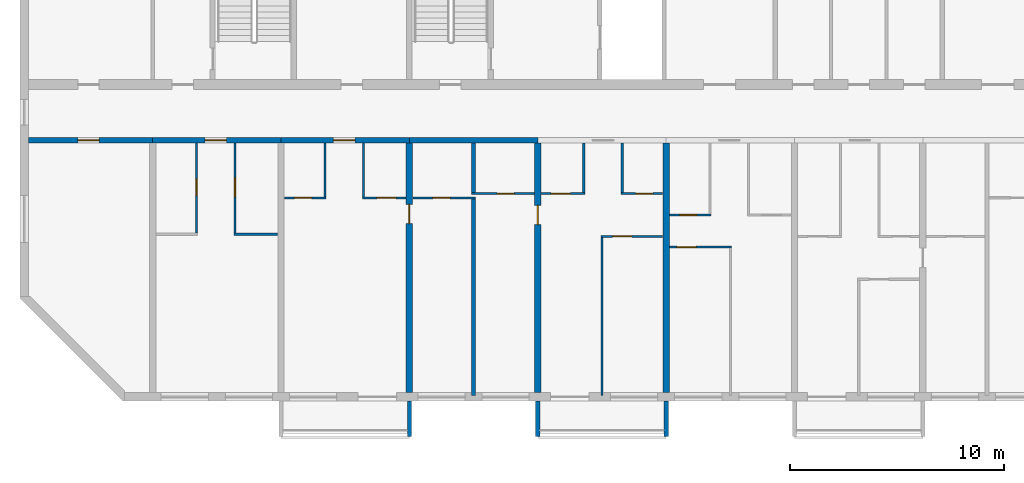
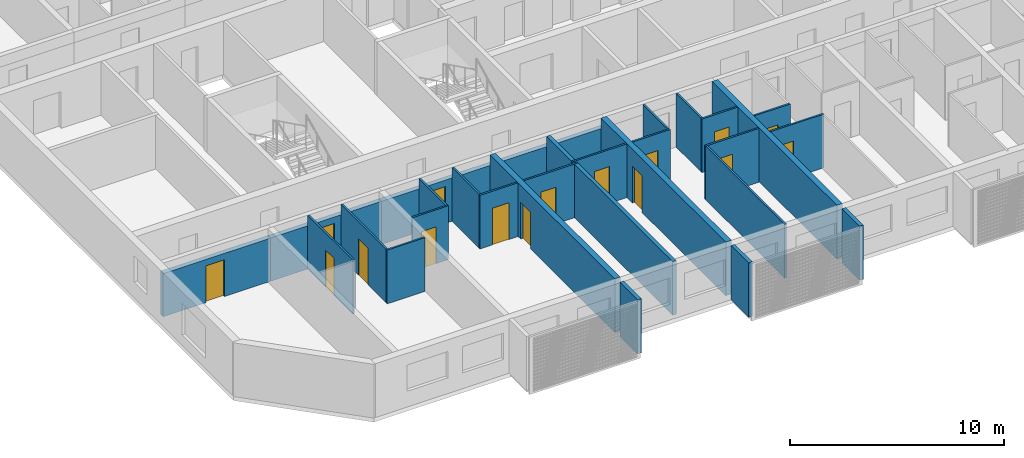
# One storey, part 2 of 33: 29 walls, 16 doors, 16 openings.
"""IFC4 building model written with IfcOpenShell, lengths in metres."""

from ifc_helpers import new_model, si_unit, direction, frame, frame_2d, origin, place, context, subcontext, project, spatial, polyline, rectangle, outline, extrude, source, transform, mapped, material, layer, layer_set, type_object, element, fill, save


model = new_model("IFC4")

# Units and contexts
model_context = context("Model", 3, precision=1e-05, world=origin(), true_north=direction((0.0, 1.0)))
body_context = subcontext(model_context, "Body", "Model", "MODEL_VIEW")
ifc_project = project(units=[si_unit("LENGTHUNIT", "METRE"), si_unit("AREAUNIT", "SQUARE_METRE"), si_unit("VOLUMEUNIT", "CUBIC_METRE"), si_unit("PLANEANGLEUNIT", "RADIAN"), si_unit("MASSUNIT", "GRAM", prefix="KILO")], contexts=[model_context])

# Site, building, storey
site_placement = place(None, origin())
site = spatial("IfcSite", under=ifc_project, at=site_placement, CompositionType="ELEMENT")
building_placement = place(site_placement, origin())
building = spatial("IfcBuilding", under=site, at=building_placement, Name="Poui Terraces", CompositionType="ELEMENT")
storey_placement = place(building_placement, frame((0.0, 0.0, 135.60009765625)))
storey = spatial("IfcBuildingStorey", under=building, at=storey_placement, Name="L37", CompositionType="ELEMENT", Elevation=135.60009765625)

# Wall, opening, door
ifc_material_1 = material(Name="Concrete 65 MPa", Category="concrete")
ifc_layer_1 = layer(ifc_material_1, 0.25)
ifc_layer_set_1 = layer_set([ifc_layer_1], Name="Concrete 65 MPa")
wall_type_1 = type_object("IfcWallType", Name="CORRIDOR WALL 250 65MPa", PredefinedType="SHEAR", material=ifc_layer_set_1)
wall_1_placement = place(storey_placement, frame((12.199951171875, 12.0, 0.0), z_axis=(0.0, 0.0, 1.0), x_axis=(1.0, 0.0, 0.0)))
wall_1 = element("IfcWall", 1, at=wall_1_placement, inside=storey, type_object=wall_type_1, Name="CORRIDOR WALL LINE B BAY 1", PredefinedType="SHEAR", context=body_context, shape_type="SweptSolid", body=[
    extrude(rectangle(XDim=5.800048828125, YDim=0.25, at=frame_2d((2.89990234375, 0.0))), origin(), (0.0, 0.0, 1.0), 2.469970703125),
])
opening_1_placement = place(wall_1_placement, frame((2.300048828125, 0.0, 0.0)))
opening_1 = element("IfcOpeningElement", 2, at=opening_1_placement, cuts=wall_1, Name="Opening D100", PredefinedType="OPENING", context=body_context, shape_type="SweptSolid", body=[
    extrude(rectangle(XDim=1.0, YDim=2.10009765625, at=frame_2d((0.5, 1.050048828125))), frame((0.0, 0.135009765625, 0.0), z_axis=(0.0, -1.0, 0.0), x_axis=(1.0, 0.0, 0.0)), (0.0, 0.0, 1.0), 0.27001953125),
])
ifc_material_2 = material(Name="Solid core timber door", Category="wood")
door_type_1 = type_object("IfcDoorType", Name="ACCESSIBLE INTERNAL DOOR 1000 X 2100", OperationType="NOTDEFINED", PredefinedType="DOOR", material=ifc_material_2)
door_1_placement = place(opening_1_placement, frame((1.0, 0.0, 0.0), z_axis=(0.0, 0.0, 1.0), x_axis=(-1.0, 0.0, 0.0)))
door_1 = element("IfcDoor", 3, at=door_1_placement, inside=storey, type_object=door_type_1, Name="ACCESSIBLE INTERNAL DOOR 074", OperationType="SINGLE_SWING_RIGHT", OverallHeight=2.10009765625, OverallWidth=1.0, PredefinedType="DOOR", context=body_context, shape_type="SweptSolid", body=[
    extrude(rectangle(XDim=1.0, YDim=2.10009765625, at=frame_2d((0.5, 1.050048828125))), frame((0.0, 0.02490234375, 0.0), z_axis=(0.0, -1.0, 0.0), x_axis=(1.0, 0.0, 0.0)), (0.0, 0.0, 1.0), 0.050048828125),
])
fill(opening_1, door_1)

wall_2_placement = place(storey_placement, frame((18.0, 12.0, 0.0), z_axis=(0.0, 0.0, 1.0), x_axis=(1.0, 0.0, 0.0)))
wall_2 = element("IfcWall", 4, at=wall_2_placement, inside=storey, type_object=wall_type_1, Name="CORRIDOR WALL LINE B BAY 2", PredefinedType="SHEAR", context=body_context, shape_type="SweptSolid", body=[
    extrude(rectangle(XDim=6.0, YDim=0.25, at=frame_2d((3.0, 0.0))), origin(), (0.0, 0.0, 1.0), 2.469970703125),
])
opening_2_placement = place(wall_2_placement, frame((2.449951171875, 0.0, 0.0)))
opening_2 = element("IfcOpeningElement", 5, at=opening_2_placement, cuts=wall_2, Name="Opening FD30S", PredefinedType="OPENING", context=body_context, shape_type="SweptSolid", body=[
    extrude(rectangle(XDim=1.0, YDim=2.10009765625, at=frame_2d((0.5, 1.050048828125))), frame((0.0, 0.135009765625, 0.0), z_axis=(0.0, -1.0, 0.0), x_axis=(1.0, 0.0, 0.0)), (0.0, 0.0, 1.0), 0.27001953125),
])
ifc_material_3 = material(Name="Steel fire door", Category="steel")
door_type_2 = type_object("IfcDoorType", Name="FLAT ENTRANCE DOOR 1000 X 2100", OperationType="NOTDEFINED", PredefinedType="DOOR", material=ifc_material_3)
door_2_placement = place(opening_2_placement, frame((1.0, 0.0, 0.0), z_axis=(0.0, 0.0, 1.0), x_axis=(-1.0, 0.0, 0.0)))
door_2 = element("IfcDoor", 6, at=door_2_placement, inside=storey, type_object=door_type_2, Name="FLAT ENTRANCE DOOR 076", OperationType="SINGLE_SWING_RIGHT", OverallHeight=2.10009765625, OverallWidth=1.0, PredefinedType="DOOR", context=body_context, shape_type="SweptSolid", body=[
    extrude(rectangle(XDim=1.0, YDim=2.10009765625, at=frame_2d((0.5, 1.050048828125))), frame((0.0, 0.02490234375, 0.0), z_axis=(0.0, -1.0, 0.0), x_axis=(1.0, 0.0, 0.0)), (0.0, 0.0, 1.0), 0.050048828125),
])
fill(opening_2, door_2)

wall_3_placement = place(storey_placement, frame((24.0, 12.0, 0.0), z_axis=(0.0, 0.0, 1.0), x_axis=(1.0, 0.0, 0.0)))
wall_3 = element("IfcWall", 7, at=wall_3_placement, inside=storey, type_object=wall_type_1, Name="CORRIDOR WALL LINE B BAY 3", PredefinedType="SHEAR", context=body_context, shape_type="SweptSolid", body=[
    extrude(rectangle(XDim=6.0, YDim=0.25, at=frame_2d((3.0, 0.0))), origin(), (0.0, 0.0, 1.0), 2.469970703125),
])
opening_3_placement = place(wall_3_placement, frame((2.449951171875, 0.0, 0.0)))
opening_3 = element("IfcOpeningElement", 8, at=opening_3_placement, cuts=wall_3, Name="Opening FD30S", PredefinedType="OPENING", context=body_context, shape_type="SweptSolid", body=[
    extrude(rectangle(XDim=1.0, YDim=2.10009765625, at=frame_2d((0.5, 1.050048828125))), frame((0.0, 0.135009765625, 0.0), z_axis=(0.0, -1.0, 0.0), x_axis=(1.0, 0.0, 0.0)), (0.0, 0.0, 1.0), 0.27001953125),
])
door_3_placement = place(opening_3_placement, frame((1.0, 0.0, 0.0), z_axis=(0.0, 0.0, 1.0), x_axis=(-1.0, 0.0, 0.0)))
door_3 = element("IfcDoor", 9, at=door_3_placement, inside=storey, type_object=door_type_2, Name="FLAT ENTRANCE DOOR 080", OperationType="SINGLE_SWING_RIGHT", OverallHeight=2.10009765625, OverallWidth=1.0, PredefinedType="DOOR", context=body_context, shape_type="SweptSolid", body=[
    extrude(rectangle(XDim=1.0, YDim=2.10009765625, at=frame_2d((0.5, 1.050048828125))), frame((0.0, 0.02490234375, 0.0), z_axis=(0.0, -1.0, 0.0), x_axis=(1.0, 0.0, 0.0)), (0.0, 0.0, 1.0), 0.050048828125),
])
fill(opening_3, door_3)

# Wall
wall_4_placement = place(storey_placement, frame((30.0, 12.0, 0.0), z_axis=(0.0, 0.0, 1.0), x_axis=(1.0, 0.0, 0.0)))
element("IfcWall", 10, at=wall_4_placement, inside=storey, type_object=wall_type_1, Name="CORRIDOR WALL LINE B BAY 4", PredefinedType="SHEAR", context=body_context, shape_type="SweptSolid", body=[
    extrude(rectangle(XDim=6.0, YDim=0.25, at=frame_2d((3.0, 0.0))), origin(), (0.0, 0.0, 1.0), 2.469970703125),
])

# Wall, opening, door
ifc_layer_2 = layer(ifc_material_1, 0.300048828125)
ifc_layer_set_2 = layer_set([ifc_layer_2], Name="Concrete 65 MPa")
wall_type_2 = type_object("IfcWallType", Name="CROSS WALL 300 65MPa", PredefinedType="SHEAR", material=ifc_layer_set_2)
wall_5_placement = place(storey_placement, frame((30.0, 0.199951171875, 0.0), z_axis=(0.0, 0.0, 1.0), x_axis=(0.0, 1.0, 0.0)))
wall_5 = element("IfcWall", 11, at=wall_5_placement, inside=storey, type_object=wall_type_2, Name="CROSS WALL LINE 6 SOUTH", PredefinedType="SHEAR", context=body_context, shape_type="SweptSolid", body=[
    extrude(rectangle(XDim=11.675048828125, YDim=0.300048828125, at=frame_2d((5.83740234375, 0.0))), origin(), (0.0, 0.0, 1.0), 3.06982421875),
])
opening_4_placement = place(wall_5_placement, frame((7.89990234375, 0.0, 0.0)))
opening_4 = element("IfcOpeningElement", 12, at=opening_4_placement, cuts=wall_5, Name="Opening D90", PredefinedType="OPENING", context=body_context, shape_type="SweptSolid", body=[
    extrude(rectangle(XDim=0.89990234375, YDim=2.10009765625, at=frame_2d((0.449951171875, 1.050048828125))), frame((0.0, 0.16015625, 0.0), z_axis=(0.0, -1.0, 0.0), x_axis=(1.0, 0.0, 0.0)), (0.0, 0.0, 1.0), 0.320068359375),
])
door_type_3 = type_object("IfcDoorType", Name="INTERNAL DOOR 900 X 2100", OperationType="NOTDEFINED", PredefinedType="DOOR", material=ifc_material_2)
door_4_placement = place(opening_4_placement, frame((0.89990234375, 0.0, 0.0), z_axis=(0.0, 0.0, 1.0), x_axis=(-1.0, 0.0, 0.0)))
door_4 = element("IfcDoor", 13, at=door_4_placement, inside=storey, type_object=door_type_3, Name="INTERNAL DOOR 082", OperationType="SINGLE_SWING_LEFT", OverallHeight=2.10009765625, OverallWidth=0.89990234375, PredefinedType="DOOR", context=body_context, shape_type="SweptSolid", body=[
    extrude(rectangle(XDim=0.89990234375, YDim=2.10009765625, at=frame_2d((0.449951171875, 1.050048828125))), frame((0.0, 0.02490234375, 0.0), z_axis=(0.0, -1.0, 0.0), x_axis=(1.0, 0.0, 0.0)), (0.0, 0.0, 1.0), 0.050048828125),
])
fill(opening_4, door_4)

wall_6_placement = place(storey_placement, frame((36.0, 0.199951171875, 0.0), z_axis=(0.0, 0.0, 1.0), x_axis=(0.0, 1.0, 0.0)))
wall_6 = element("IfcWall", 14, at=wall_6_placement, inside=storey, type_object=wall_type_2, Name="CROSS WALL LINE 7 SOUTH", PredefinedType="SHEAR", context=body_context, shape_type="SweptSolid", body=[
    extrude(rectangle(XDim=11.675048828125, YDim=0.300048828125, at=frame_2d((5.83740234375, 0.0))), origin(), (0.0, 0.0, 1.0), 3.06982421875),
])
opening_5_placement = place(wall_6_placement, frame((7.85009765625, 0.0, 0.0)))
opening_5 = element("IfcOpeningElement", 15, at=opening_5_placement, cuts=wall_6, Name="Opening D90", PredefinedType="OPENING", context=body_context, shape_type="SweptSolid", body=[
    extrude(rectangle(XDim=0.89990234375, YDim=2.10009765625, at=frame_2d((0.449951171875, 1.050048828125))), frame((0.0, 0.16015625, 0.0), z_axis=(0.0, -1.0, 0.0), x_axis=(1.0, 0.0, 0.0)), (0.0, 0.0, 1.0), 0.320068359375),
])
door_5_placement = place(opening_5_placement, origin())
door_5 = element("IfcDoor", 16, at=door_5_placement, inside=storey, type_object=door_type_3, Name="INTERNAL DOOR 084", OperationType="SINGLE_SWING_RIGHT", OverallHeight=2.10009765625, OverallWidth=0.89990234375, PredefinedType="DOOR", context=body_context, shape_type="SweptSolid", body=[
    extrude(rectangle(XDim=0.89990234375, YDim=2.10009765625, at=frame_2d((0.449951171875, 1.050048828125))), frame((0.0, 0.02490234375, 0.0), z_axis=(0.0, -1.0, 0.0), x_axis=(1.0, 0.0, 0.0)), (0.0, 0.0, 1.0), 0.050048828125),
])
fill(opening_5, door_5)

# Wall
wall_7_placement = place(storey_placement, frame((42.0, 0.199951171875, 0.0), z_axis=(0.0, 0.0, 1.0), x_axis=(0.0, 1.0, 0.0)))
element("IfcWall", 17, at=wall_7_placement, inside=storey, type_object=wall_type_2, Name="CROSS WALL LINE 8 SOUTH", PredefinedType="SHEAR", context=body_context, shape_type="SweptSolid", body=[
    extrude(rectangle(XDim=11.675048828125, YDim=0.300048828125, at=frame_2d((5.83740234375, 0.0))), origin(), (0.0, 0.0, 1.0), 3.06982421875),
])

# Wall, opening, door
ifc_material_4 = material(Name="Plasterboard partition")
ifc_layer_3 = layer(ifc_material_4, 0.10009765625)
ifc_layer_set_3 = layer_set([ifc_layer_3], Name="Plasterboard partition")
wall_type_3 = type_object("IfcWallType", Name="FLAT PARTITION 100", PredefinedType="PARTITIONING", material=ifc_layer_set_3)
wall_8_placement = place(storey_placement, frame((42.159912109375, 7.0, 0.0), z_axis=(0.0, 0.0, 1.0), x_axis=(1.0, 0.0, 0.0)))
wall_8 = element("IfcWall", 18, at=wall_8_placement, inside=storey, type_object=wall_type_3, Name="FLAT PARTITION 100", PredefinedType="PARTITIONING", context=body_context, shape_type="SweptSolid", body=[
    extrude(rectangle(XDim=2.89013671875, YDim=0.10009765625, at=frame_2d((1.445068359375, 0.0))), origin(), (0.0, 0.0, 1.0), 3.06982421875),
])
opening_6_placement = place(wall_8_placement, frame((0.340087890625, 0.0, 0.0)))
opening_6 = element("IfcOpeningElement", 19, at=opening_6_placement, cuts=wall_8, Name="Opening D90", PredefinedType="OPENING", context=body_context, shape_type="SweptSolid", body=[
    extrude(rectangle(XDim=0.89990234375, YDim=2.10009765625, at=frame_2d((0.449951171875, 1.050048828125))), frame((0.0, 0.06005859375, 0.0), z_axis=(0.0, -1.0, 0.0), x_axis=(1.0, 0.0, 0.0)), (0.0, 0.0, 1.0), 0.1201171875),
])
door_6_placement = place(opening_6_placement, origin())
door_6 = element("IfcDoor", 20, at=door_6_placement, inside=storey, type_object=door_type_3, Name="INTERNAL DOOR 089", OperationType="SINGLE_SWING_RIGHT", OverallHeight=2.10009765625, OverallWidth=0.89990234375, PredefinedType="DOOR", context=body_context, shape_type="SweptSolid", body=[
    extrude(rectangle(XDim=0.89990234375, YDim=2.10009765625, at=frame_2d((0.449951171875, 1.050048828125))), frame((0.0, 0.02490234375, 0.0), z_axis=(0.0, -1.0, 0.0), x_axis=(1.0, 0.0, 0.0)), (0.0, 0.0, 1.0), 0.050048828125),
])
fill(opening_6, door_6)

wall_9_placement = place(storey_placement, frame((38.949951171875, 7.5, 0.0), z_axis=(0.0, 0.0, 1.0), x_axis=(1.0, 0.0, 0.0)))
wall_9 = element("IfcWall", 21, at=wall_9_placement, inside=storey, type_object=wall_type_3, Name="FLAT PARTITION 100", PredefinedType="PARTITIONING", context=body_context, shape_type="SweptSolid", body=[
    extrude(rectangle(XDim=2.89013671875, YDim=0.10009765625, at=frame_2d((1.445068359375, 0.0))), origin(), (0.0, 0.0, 1.0), 3.06982421875),
])
opening_7_placement = place(wall_9_placement, frame((0.550048828125, 0.0, 0.0)))
opening_7 = element("IfcOpeningElement", 22, at=opening_7_placement, cuts=wall_9, Name="Opening D90", PredefinedType="OPENING", context=body_context, shape_type="SweptSolid", body=[
    extrude(rectangle(XDim=0.89990234375, YDim=2.10009765625, at=frame_2d((0.449951171875, 1.050048828125))), frame((0.0, 0.06005859375, 0.0), z_axis=(0.0, -1.0, 0.0), x_axis=(1.0, 0.0, 0.0)), (0.0, 0.0, 1.0), 0.1201171875),
])
door_7_placement = place(opening_7_placement, origin())
door_7 = element("IfcDoor", 23, at=door_7_placement, inside=storey, type_object=door_type_3, Name="INTERNAL DOOR 087", OperationType="SINGLE_SWING_RIGHT", OverallHeight=2.10009765625, OverallWidth=0.89990234375, PredefinedType="DOOR", context=body_context, shape_type="SweptSolid", body=[
    extrude(rectangle(XDim=0.89990234375, YDim=2.10009765625, at=frame_2d((0.449951171875, 1.050048828125))), frame((0.0, 0.02490234375, 0.0), z_axis=(0.0, -1.0, 0.0), x_axis=(1.0, 0.0, 0.0)), (0.0, 0.0, 1.0), 0.050048828125),
])
fill(opening_7, door_7)

# Wall
wall_10_placement = place(storey_placement, frame((21.800048828125, 7.60009765625, 0.0), z_axis=(0.0, 0.0, 1.0), x_axis=(1.0, 0.0, 0.0)))
element("IfcWall", 24, at=wall_10_placement, inside=storey, type_object=wall_type_3, Name="FLAT PARTITION 100", PredefinedType="PARTITIONING", context=body_context, shape_type="SweptSolid", body=[
    extrude(rectangle(XDim=2.0400390625, YDim=0.10009765625, at=frame_2d((1.02001953125, 0.0))), origin(), (0.0, 0.0, 1.0), 3.06982421875),
])

# Wall, opening, door
wall_11_placement = place(storey_placement, frame((42.159912109375, 8.5, 0.0), z_axis=(0.0, 0.0, 1.0), x_axis=(1.0, 0.0, 0.0)))
wall_11 = element("IfcWall", 25, at=wall_11_placement, inside=storey, type_object=wall_type_3, Name="FLAT PARTITION 100", PredefinedType="PARTITIONING", context=body_context, shape_type="SweptSolid", body=[
    extrude(rectangle(XDim=1.940185546875, YDim=0.10009765625, at=frame_2d((0.97021484375, 0.0))), origin(), (0.0, 0.0, 1.0), 3.06982421875),
])
opening_8_placement = place(wall_11_placement, frame((0.465087890625, 0.0, 0.0)))
opening_8 = element("IfcOpeningElement", 26, at=opening_8_placement, cuts=wall_11, Name="Opening D80", PredefinedType="OPENING", context=body_context, shape_type="SweptSolid", body=[
    extrude(rectangle(XDim=0.800048828125, YDim=2.10009765625, at=frame_2d((0.39990234375, 1.050048828125))), frame((0.0, 0.06005859375, 0.0), z_axis=(0.0, -1.0, 0.0), x_axis=(1.0, 0.0, 0.0)), (0.0, 0.0, 1.0), 0.1201171875),
])
door_type_4 = type_object("IfcDoorType", Name="BATHROOM, LAUNDRY AND STORE DOOR 800 X 2100", OperationType="NOTDEFINED", PredefinedType="DOOR", material=ifc_material_2)
door_8_placement = place(opening_8_placement, origin())
door_8 = element("IfcDoor", 27, at=door_8_placement, inside=storey, type_object=door_type_4, Name="BATHROOM, LAUNDRY AND STORE DOOR 090", OperationType="SINGLE_SWING_LEFT", OverallHeight=2.10009765625, OverallWidth=0.800048828125, PredefinedType="DOOR", context=body_context, shape_type="SweptSolid", body=[
    extrude(rectangle(XDim=0.800048828125, YDim=2.10009765625, at=frame_2d((0.39990234375, 1.050048828125))), frame((0.0, 0.02490234375, 0.0), z_axis=(0.0, -1.0, 0.0), x_axis=(1.0, 0.0, 0.0)), (0.0, 0.0, 1.0), 0.050048828125),
])
fill(opening_8, door_8)

wall_12_placement = place(storey_placement, frame((24.159912109375, 9.300048828125, 0.0), z_axis=(0.0, 0.0, 1.0), x_axis=(1.0, 0.0, 0.0)))
wall_12 = element("IfcWall", 28, at=wall_12_placement, inside=storey, type_object=wall_type_3, Name="FLAT PARTITION 100", PredefinedType="PARTITIONING", context=body_context, shape_type="SweptSolid", body=[
    extrude(rectangle(XDim=1.940185546875, YDim=0.10009765625, at=frame_2d((0.97021484375, 0.0))), origin(), (0.0, 0.0, 1.0), 3.06982421875),
])
opening_9_placement = place(wall_12_placement, frame((0.465087890625, 0.0, 0.0)))
opening_9 = element("IfcOpeningElement", 29, at=opening_9_placement, cuts=wall_12, Name="Opening D80", PredefinedType="OPENING", context=body_context, shape_type="SweptSolid", body=[
    extrude(rectangle(XDim=0.800048828125, YDim=2.10009765625, at=frame_2d((0.39990234375, 1.050048828125))), frame((0.0, 0.06005859375, 0.0), z_axis=(0.0, -1.0, 0.0), x_axis=(1.0, 0.0, 0.0)), (0.0, 0.0, 1.0), 0.1201171875),
])
door_9_placement = place(opening_9_placement, origin())
door_9 = element("IfcDoor", 30, at=door_9_placement, inside=storey, type_object=door_type_4, Name="BATHROOM, LAUNDRY AND STORE DOOR 079", OperationType="SINGLE_SWING_RIGHT", OverallHeight=2.10009765625, OverallWidth=0.800048828125, PredefinedType="DOOR", context=body_context, shape_type="SweptSolid", body=[
    extrude(rectangle(XDim=0.800048828125, YDim=2.10009765625, at=frame_2d((0.39990234375, 1.050048828125))), frame((0.0, 0.02490234375, 0.0), z_axis=(0.0, -1.0, 0.0), x_axis=(1.0, 0.0, 0.0)), (0.0, 0.0, 1.0), 0.050048828125),
])
fill(opening_9, door_9)

wall_13_placement = place(storey_placement, frame((27.800048828125, 9.300048828125, 0.0), z_axis=(0.0, 0.0, 1.0), x_axis=(1.0, 0.0, 0.0)))
wall_13 = element("IfcWall", 31, at=wall_13_placement, inside=storey, type_object=wall_type_3, Name="FLAT PARTITION 100", PredefinedType="PARTITIONING", context=body_context, shape_type="SweptSolid", body=[
    extrude(rectangle(XDim=2.0400390625, YDim=0.10009765625, at=frame_2d((1.02001953125, 0.0))), origin(), (0.0, 0.0, 1.0), 3.06982421875),
])
opening_10_placement = place(wall_13_placement, frame((0.675048828125, 0.0, 0.0)))
opening_10 = element("IfcOpeningElement", 32, at=opening_10_placement, cuts=wall_13, Name="Opening D90", PredefinedType="OPENING", context=body_context, shape_type="SweptSolid", body=[
    extrude(rectangle(XDim=0.89990234375, YDim=2.10009765625, at=frame_2d((0.449951171875, 1.050048828125))), frame((0.0, 0.06005859375, 0.0), z_axis=(0.0, -1.0, 0.0), x_axis=(1.0, 0.0, 0.0)), (0.0, 0.0, 1.0), 0.1201171875),
])
door_10_placement = place(opening_10_placement, origin())
door_10 = element("IfcDoor", 33, at=door_10_placement, inside=storey, type_object=door_type_3, Name="INTERNAL DOOR 081", OperationType="SINGLE_SWING_LEFT", OverallHeight=2.10009765625, OverallWidth=0.89990234375, PredefinedType="DOOR", context=body_context, shape_type="SweptSolid", body=[
    extrude(rectangle(XDim=0.89990234375, YDim=2.10009765625, at=frame_2d((0.449951171875, 1.050048828125))), frame((0.0, 0.02490234375, 0.0), z_axis=(0.0, -1.0, 0.0), x_axis=(1.0, 0.0, 0.0)), (0.0, 0.0, 1.0), 0.050048828125),
])
fill(opening_10, door_10)

wall_14_placement = place(storey_placement, frame((30.159912109375, 9.300048828125, 0.0), z_axis=(0.0, 0.0, 1.0), x_axis=(1.0, 0.0, 0.0)))
wall_14 = element("IfcWall", 34, at=wall_14_placement, inside=storey, type_object=wall_type_3, Name="FLAT PARTITION 100", PredefinedType="PARTITIONING", context=body_context, shape_type="SweptSolid", body=[
    extrude(rectangle(XDim=2.940185546875, YDim=0.10009765625, at=frame_2d((1.47021484375, 0.0))), origin(), (0.0, 0.0, 1.0), 3.06982421875),
])
opening_11_placement = place(wall_14_placement, frame((0.93994140625, 0.0, 0.0)))
opening_11 = element("IfcOpeningElement", 35, at=opening_11_placement, cuts=wall_14, Name="Opening D80", PredefinedType="OPENING", context=body_context, shape_type="SweptSolid", body=[
    extrude(rectangle(XDim=0.800048828125, YDim=2.10009765625, at=frame_2d((0.39990234375, 1.050048828125))), frame((0.0, 0.06005859375, 0.0), z_axis=(0.0, -1.0, 0.0), x_axis=(1.0, 0.0, 0.0)), (0.0, 0.0, 1.0), 0.1201171875),
])
door_11_placement = place(opening_11_placement, origin())
door_11 = element("IfcDoor", 36, at=door_11_placement, inside=storey, type_object=door_type_4, Name="BATHROOM, LAUNDRY AND STORE DOOR 078", OperationType="SINGLE_SWING_LEFT", OverallHeight=2.10009765625, OverallWidth=0.800048828125, PredefinedType="DOOR", context=body_context, shape_type="SweptSolid", body=[
    extrude(rectangle(XDim=0.800048828125, YDim=2.10009765625, at=frame_2d((0.39990234375, 1.050048828125))), frame((0.0, 0.02490234375, 0.0), z_axis=(0.0, -1.0, 0.0), x_axis=(1.0, 0.0, 0.0)), (0.0, 0.0, 1.0), 0.050048828125),
])
fill(opening_11, door_11)

wall_15_placement = place(storey_placement, frame((32.89990234375, 9.5, 0.0), z_axis=(0.0, 0.0, 1.0), x_axis=(1.0, 0.0, 0.0)))
wall_15 = element("IfcWall", 37, at=wall_15_placement, inside=storey, type_object=wall_type_3, Name="FLAT PARTITION 100", PredefinedType="PARTITIONING", context=body_context, shape_type="SweptSolid", body=[
    extrude(rectangle(XDim=2.940185546875, YDim=0.10009765625, at=frame_2d((1.47021484375, 0.0))), origin(), (0.0, 0.0, 1.0), 3.06982421875),
])
opening_12_placement = place(wall_15_placement, frame((1.199951171875, 0.0, 0.0)))
opening_12 = element("IfcOpeningElement", 38, at=opening_12_placement, cuts=wall_15, Name="Opening D80", PredefinedType="OPENING", context=body_context, shape_type="SweptSolid", body=[
    extrude(rectangle(XDim=0.800048828125, YDim=2.10009765625, at=frame_2d((0.39990234375, 1.050048828125))), frame((0.0, 0.06005859375, 0.0), z_axis=(0.0, -1.0, 0.0), x_axis=(1.0, 0.0, 0.0)), (0.0, 0.0, 1.0), 0.1201171875),
])
door_12_placement = place(opening_12_placement, origin())
door_12 = element("IfcDoor", 39, at=door_12_placement, inside=storey, type_object=door_type_4, Name="BATHROOM, LAUNDRY AND STORE DOOR 083", OperationType="SINGLE_SWING_RIGHT", OverallHeight=2.10009765625, OverallWidth=0.800048828125, PredefinedType="DOOR", context=body_context, shape_type="SweptSolid", body=[
    extrude(rectangle(XDim=0.800048828125, YDim=2.10009765625, at=frame_2d((0.39990234375, 1.050048828125))), frame((0.0, 0.02490234375, 0.0), z_axis=(0.0, -1.0, 0.0), x_axis=(1.0, 0.0, 0.0)), (0.0, 0.0, 1.0), 0.050048828125),
])
fill(opening_12, door_12)

wall_16_placement = place(storey_placement, frame((36.159912109375, 9.5, 0.0), z_axis=(0.0, 0.0, 1.0), x_axis=(1.0, 0.0, 0.0)))
wall_16 = element("IfcWall", 40, at=wall_16_placement, inside=storey, type_object=wall_type_3, Name="FLAT PARTITION 100", PredefinedType="PARTITIONING", context=body_context, shape_type="SweptSolid", body=[
    extrude(rectangle(XDim=2.0400390625, YDim=0.10009765625, at=frame_2d((1.02001953125, 0.0))), origin(), (0.0, 0.0, 1.0), 3.06982421875),
])
opening_13_placement = place(wall_16_placement, frame((0.465087890625, 0.0, 0.0)))
opening_13 = element("IfcOpeningElement", 41, at=opening_13_placement, cuts=wall_16, Name="Opening D90", PredefinedType="OPENING", context=body_context, shape_type="SweptSolid", body=[
    extrude(rectangle(XDim=0.89990234375, YDim=2.10009765625, at=frame_2d((0.449951171875, 1.050048828125))), frame((0.0, 0.06005859375, 0.0), z_axis=(0.0, -1.0, 0.0), x_axis=(1.0, 0.0, 0.0)), (0.0, 0.0, 1.0), 0.1201171875),
])
door_13_placement = place(opening_13_placement, origin())
door_13 = element("IfcDoor", 42, at=door_13_placement, inside=storey, type_object=door_type_3, Name="INTERNAL DOOR 085", OperationType="SINGLE_SWING_RIGHT", OverallHeight=2.10009765625, OverallWidth=0.89990234375, PredefinedType="DOOR", context=body_context, shape_type="SweptSolid", body=[
    extrude(rectangle(XDim=0.89990234375, YDim=2.10009765625, at=frame_2d((0.449951171875, 1.050048828125))), frame((0.0, 0.02490234375, 0.0), z_axis=(0.0, -1.0, 0.0), x_axis=(1.0, 0.0, 0.0)), (0.0, 0.0, 1.0), 0.050048828125),
])
fill(opening_13, door_13)

wall_17_placement = place(storey_placement, frame((39.89990234375, 9.5, 0.0), z_axis=(0.0, 0.0, 1.0), x_axis=(1.0, 0.0, 0.0)))
wall_17 = element("IfcWall", 43, at=wall_17_placement, inside=storey, type_object=wall_type_3, Name="FLAT PARTITION 100", PredefinedType="PARTITIONING", context=body_context, shape_type="SweptSolid", body=[
    extrude(rectangle(XDim=1.940185546875, YDim=0.10009765625, at=frame_2d((0.97021484375, 0.0))), origin(), (0.0, 0.0, 1.0), 3.06982421875),
])
opening_14_placement = place(wall_17_placement, frame((0.675048828125, 0.0, 0.0)))
opening_14 = element("IfcOpeningElement", 44, at=opening_14_placement, cuts=wall_17, Name="Opening D80", PredefinedType="OPENING", context=body_context, shape_type="SweptSolid", body=[
    extrude(rectangle(XDim=0.800048828125, YDim=2.10009765625, at=frame_2d((0.39990234375, 1.050048828125))), frame((0.0, 0.06005859375, 0.0), z_axis=(0.0, -1.0, 0.0), x_axis=(1.0, 0.0, 0.0)), (0.0, 0.0, 1.0), 0.1201171875),
])
door_14_placement = place(opening_14_placement, origin())
door_14 = element("IfcDoor", 45, at=door_14_placement, inside=storey, type_object=door_type_4, Name="BATHROOM, LAUNDRY AND STORE DOOR 088", OperationType="SINGLE_SWING_LEFT", OverallHeight=2.10009765625, OverallWidth=0.800048828125, PredefinedType="DOOR", context=body_context, shape_type="SweptSolid", body=[
    extrude(rectangle(XDim=0.800048828125, YDim=2.10009765625, at=frame_2d((0.39990234375, 1.050048828125))), frame((0.0, 0.02490234375, 0.0), z_axis=(0.0, -1.0, 0.0), x_axis=(1.0, 0.0, 0.0)), (0.0, 0.0, 1.0), 0.050048828125),
])
fill(opening_14, door_14)

wall_18_placement = place(storey_placement, frame((20.050048828125, 7.64990234375, 0.0), z_axis=(0.0, 0.0, 1.0), x_axis=(0.0, 1.0, 0.0)))
wall_18 = element("IfcWall", 46, at=wall_18_placement, inside=storey, type_object=wall_type_3, Name="FLAT PARTITION 100", PredefinedType="PARTITIONING", context=body_context, shape_type="SweptSolid", body=[
    extrude(rectangle(XDim=4.215087890625, YDim=0.10009765625, at=frame_2d((2.107421875, 0.0))), origin(), (0.0, 0.0, 1.0), 3.06982421875),
])
opening_15_placement = place(wall_18_placement, frame((1.75, 0.0, 0.0)))
opening_15 = element("IfcOpeningElement", 47, at=opening_15_placement, cuts=wall_18, Name="Opening D80", PredefinedType="OPENING", context=body_context, shape_type="SweptSolid", body=[
    extrude(rectangle(XDim=0.800048828125, YDim=2.10009765625, at=frame_2d((0.39990234375, 1.050048828125))), frame((0.0, 0.06005859375, 0.0), z_axis=(0.0, -1.0, 0.0), x_axis=(1.0, 0.0, 0.0)), (0.0, 0.0, 1.0), 0.1201171875),
])
door_15_placement = place(opening_15_placement, origin())
door_15 = element("IfcDoor", 48, at=door_15_placement, inside=storey, type_object=door_type_4, Name="BATHROOM, LAUNDRY AND STORE DOOR 075", OperationType="SINGLE_SWING_LEFT", OverallHeight=2.10009765625, OverallWidth=0.800048828125, PredefinedType="DOOR", context=body_context, shape_type="SweptSolid", body=[
    extrude(rectangle(XDim=0.800048828125, YDim=2.10009765625, at=frame_2d((0.39990234375, 1.050048828125))), frame((0.0, 0.02490234375, 0.0), z_axis=(0.0, -1.0, 0.0), x_axis=(1.0, 0.0, 0.0)), (0.0, 0.0, 1.0), 0.050048828125),
])
fill(opening_15, door_15)

wall_19_placement = place(storey_placement, frame((21.85009765625, 7.64990234375, 0.0), z_axis=(0.0, 0.0, 1.0), x_axis=(0.0, 1.0, 0.0)))
wall_19 = element("IfcWall", 49, at=wall_19_placement, inside=storey, type_object=wall_type_3, Name="FLAT PARTITION 100", PredefinedType="PARTITIONING", context=body_context, shape_type="SweptSolid", body=[
    extrude(rectangle(XDim=4.215087890625, YDim=0.10009765625, at=frame_2d((2.107421875, 0.0))), origin(), (0.0, 0.0, 1.0), 3.06982421875),
])
opening_16_placement = place(wall_19_placement, frame((1.699951171875, 0.0, 0.0)))
opening_16 = element("IfcOpeningElement", 50, at=opening_16_placement, cuts=wall_19, Name="Opening D90", PredefinedType="OPENING", context=body_context, shape_type="SweptSolid", body=[
    extrude(rectangle(XDim=0.89990234375, YDim=2.10009765625, at=frame_2d((0.449951171875, 1.050048828125))), frame((0.0, 0.06005859375, 0.0), z_axis=(0.0, -1.0, 0.0), x_axis=(1.0, 0.0, 0.0)), (0.0, 0.0, 1.0), 0.1201171875),
])
door_16_placement = place(opening_16_placement, frame((0.89990234375, 0.0, 0.0), z_axis=(0.0, 0.0, 1.0), x_axis=(-1.0, 0.0, 0.0)))
door_16 = element("IfcDoor", 51, at=door_16_placement, inside=storey, type_object=door_type_3, Name="INTERNAL DOOR 077", OperationType="SINGLE_SWING_LEFT", OverallHeight=2.10009765625, OverallWidth=0.89990234375, PredefinedType="DOOR", context=body_context, shape_type="SweptSolid", body=[
    extrude(rectangle(XDim=0.89990234375, YDim=2.10009765625, at=frame_2d((0.449951171875, 1.050048828125))), frame((0.0, 0.02490234375, 0.0), z_axis=(0.0, -1.0, 0.0), x_axis=(1.0, 0.0, 0.0)), (0.0, 0.0, 1.0), 0.050048828125),
])
fill(opening_16, door_16)

# Walls
for number, where, z_axis, x_axis, name in (
    (52, (26.050048828125, 9.35009765625, 0.0), (0.0, 0.0, 1.0), (0.0, 1.0, 0.0), "FLAT PARTITION 100"),
    (53, (27.85009765625, 9.35009765625, 0.0), (0.0, 0.0, 1.0), (0.0, 1.0, 0.0), "FLAT PARTITION 100"),
):
    element("IfcWall", number, at=place(storey_placement, frame(where, z_axis=z_axis, x_axis=x_axis)), inside=storey, type_object=wall_type_3, Name=name, PredefinedType="PARTITIONING", context=body_context, shape_type="SweptSolid", body=[
        extrude(rectangle(XDim=2.514892578125, YDim=0.10009765625, at=frame_2d((1.25732421875, 0.0))), origin(), (0.0, 0.0, 1.0), 3.06982421875),
    ])
wall_20_placement = place(storey_placement, frame((38.14990234375, 9.550048828125, 0.0), z_axis=(0.0, 0.0, 1.0), x_axis=(0.0, 1.0, 0.0)))
element("IfcWall", 54, at=wall_20_placement, inside=storey, type_object=wall_type_3, Name="FLAT PARTITION 100", PredefinedType="PARTITIONING", context=body_context, shape_type="SweptSolid", body=[
    extrude(rectangle(XDim=2.31494140625, YDim=0.10009765625, at=frame_2d((1.157470703125, 0.0))), origin(), (0.0, 0.0, 1.0), 3.06982421875),
])
wall_21_placement = place(storey_placement, frame((39.0, 0.06005859375, 0.0), z_axis=(0.0, 0.0, 1.0), x_axis=(0.0, 1.0, 0.0)))
element("IfcWall", 55, at=wall_21_placement, inside=storey, type_object=wall_type_3, Name="FLAT PARTITION 100", PredefinedType="PARTITIONING", context=body_context, shape_type="SweptSolid", body=[
    extrude(rectangle(XDim=7.389892578125, YDim=0.10009765625, at=frame_2d((3.69482421875, 0.0))), origin(), (0.0, 0.0, 1.0), 3.06982421875),
])
wall_22_placement = place(storey_placement, frame((39.949951171875, 9.550048828125, 0.0), z_axis=(0.0, 0.0, 1.0), x_axis=(0.0, 1.0, 0.0)))
element("IfcWall", 56, at=wall_22_placement, inside=storey, type_object=wall_type_3, Name="FLAT PARTITION 100", PredefinedType="PARTITIONING", context=body_context, shape_type="SweptSolid", body=[
    extrude(rectangle(XDim=2.31494140625, YDim=0.10009765625, at=frame_2d((1.157470703125, 0.0))), origin(), (0.0, 0.0, 1.0), 3.06982421875),
])
ifc_material_5 = material(Name="Fire-rated masonry wall", Category="masonry")
ifc_layer_4 = layer(ifc_material_5, 0.199951171875)
ifc_layer_set_4 = layer_set([ifc_layer_4], Name="Fire-rated masonry wall")
wall_type_4 = type_object("IfcWallType", Name="FLAT PARTY WALL 200", PredefinedType="PARTITIONING", material=ifc_layer_set_4)
wall_23_placement = place(storey_placement, frame((33.0, 0.06005859375, 0.0), z_axis=(0.0, 0.0, 1.0), x_axis=(0.0, 1.0, 0.0)))
element("IfcWall", 57, at=wall_23_placement, inside=storey, type_object=wall_type_4, Name="FLAT PARTY WALL 200", PredefinedType="PARTITIONING", context=body_context, shape_type="SweptSolid", body=[
    extrude(rectangle(XDim=9.18994140625, YDim=0.199951171875, at=frame_2d((4.594970703125, 0.0))), origin(), (0.0, 0.0, 1.0), 3.06982421875),
])
wall_24_placement = place(storey_placement, frame((33.0, 9.550048828125, 0.0), z_axis=(0.0, 0.0, 1.0), x_axis=(0.0, 1.0, 0.0)))
element("IfcWall", 58, at=wall_24_placement, inside=storey, type_object=wall_type_4, Name="FLAT PARTY WALL 200", PredefinedType="PARTITIONING", context=body_context, shape_type="SweptSolid", body=[
    extrude(rectangle(XDim=2.31494140625, YDim=0.199951171875, at=frame_2d((1.157470703125, 0.0))), origin(), (0.0, 0.0, 1.0), 3.06982421875),
])
ifc_material_6 = material(Name="Precast concrete 40 MPa", Category="concrete")
ifc_layer_5 = layer(ifc_material_6, 0.199951171875)
ifc_layer_set_5 = layer_set([ifc_layer_5], Name="Precast concrete 40 MPa")
wall_type_5 = type_object("IfcWallType", Name="REAR FIN 200", PredefinedType="STANDARD", material=ifc_layer_set_5)
shared_shape = source(origin(), body_context, "Body", "SweptSolid", [
    extrude(outline(polyline([(0.0, 0.0), (0.2001953125, 0.0), (0.2001953125, 1.650146484375), (0.0, 1.650146484375), (0.0, 0.0)])), origin(), (0.0, 0.0, 1.0), 3.099853515625),
])
for number, where, name in (
    (59, (29.89990234375, -1.85009765625, 0.0), "REAR FIN"),
    (60, (35.89990234375, -1.85009765625, 0.0), "REAR FIN"),
    (61, (41.89990234375, -1.85009765625, 0.0), "REAR FIN"),
):
    element("IfcWall", number, at=place(storey_placement, frame(where)), inside=storey, type_object=wall_type_5, Name=name, PredefinedType="STANDARD", context=body_context, shape_type="MappedRepresentation", body=[
        mapped(shared_shape, transform((0.0, 0.0, 0.0))),
    ])

save(model, "model.ifc")
